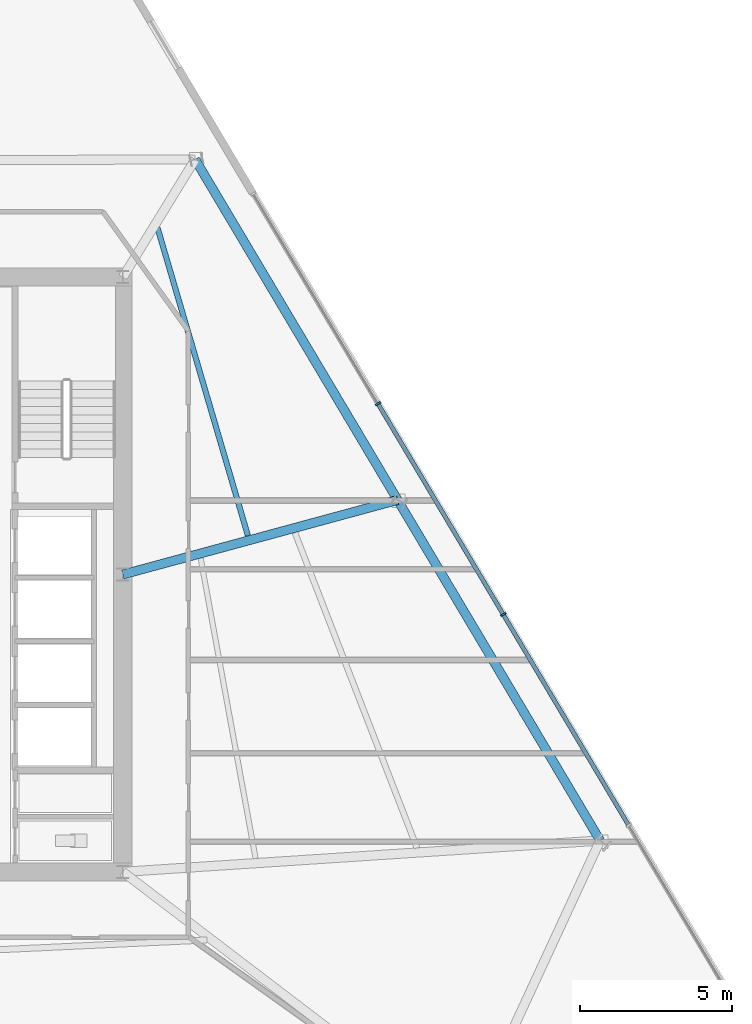
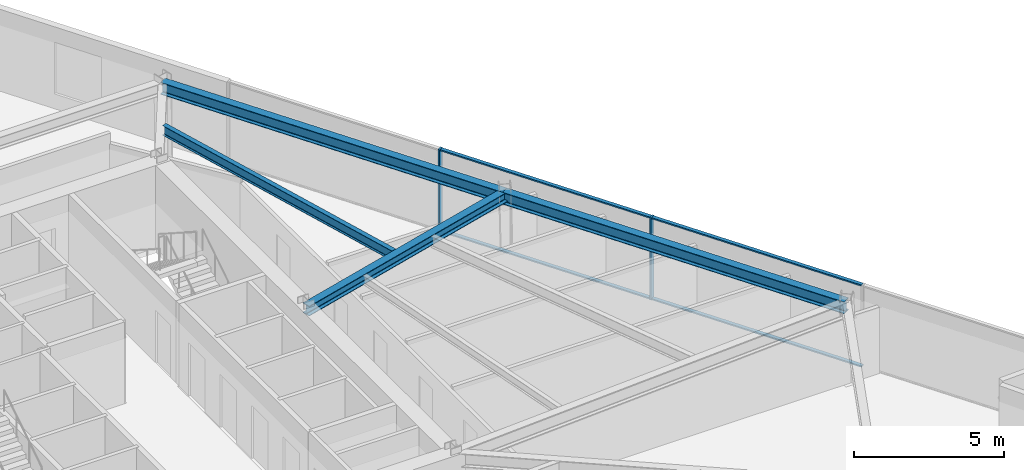
# One storey, part 5 of 15: 6 members, 4 beams, 1 element without a shape of its own.
"""IFC4 building model written with IfcOpenShell, lengths in metres."""

import ifcopenshell
import ifcopenshell.guid

model = None  # the IFC model being written
_history = None  # IfcOwnerHistory: only IFC2X3 demands one
_inside = {}  # id of a spatial element -> (the spatial element, [elements in it])
_under = {}  # id of a project, library or spatial element -> (it, [spatial elements below it])
_declared = {}  # id of a project -> (the project, [libraries it declares])
_typed = {}  # id of a type object -> (the type object, [elements of that type])
_made_of = {}  # id of a material, layer set ... -> (it, [elements and type objects made of it])


def new_model(schema):
    """Start an empty IFC model of exactly this schema.

    Asked for "IFC4X3", IfcOpenShell would pick the latest addendum, in which some entities
    have other attributes; the version numbers below select the first issue.
    IFC2X3 requires an IfcOwnerHistory on every rooted entity: one is made here for all.
    """
    global model, _history
    if schema == "IFC4X3":
        model = ifcopenshell.file(schema_version=(4, 3, 0, 0))
    else:
        model = ifcopenshell.file(schema=schema)
    _inside.clear()
    _under.clear()
    _declared.clear()
    _typed.clear()
    _made_of.clear()
    _history = None
    if model.schema == "IFC2X3":
        org = make("IfcOrganization", Name="unknown")
        user = make(
            "IfcPersonAndOrganization",
            ThePerson=make("IfcPerson", FamilyName="unknown"),
            TheOrganization=org,
        )
        app = make(
            "IfcApplication",
            ApplicationDeveloper=org,
            Version="unknown",
            ApplicationFullName="unknown",
            ApplicationIdentifier="unknown",
        )
        _history = make(
            "IfcOwnerHistory",
            OwningUser=user,
            OwningApplication=app,
            ChangeAction="ADDED",
            CreationDate=0,
        )
    return model


def make(cls, **values):
    """One entity of the class cls with the attributes given. An attribute that is None is left unset."""
    return model.create_entity(
        cls, **{name: value for name, value in values.items() if value is not None}
    )


def rooted(cls, **values):
    """An entity with a GlobalId (a new one), such as an element, a storey or a relation."""
    return make(cls, GlobalId=ifcopenshell.guid.new(), OwnerHistory=_history, **values)


def si_unit(unit_type, name, prefix=None):
    """IfcSIUnit, for example si_unit("LENGTHUNIT", "METRE", prefix="MILLI")."""
    return make("IfcSIUnit", UnitType=unit_type, Prefix=prefix, Name=name)


def assignment(units):
    """IfcUnitAssignment: the units of a project."""
    return None if units is None else make("IfcUnitAssignment", Units=units)


def point(xyz):
    """IfcCartesianPoint."""
    return None if xyz is None else make("IfcCartesianPoint", Coordinates=xyz)


def direction(xyz):
    """IfcDirection."""
    return None if xyz is None else make("IfcDirection", DirectionRatios=xyz)


def frame(location, z_axis=None, x_axis=None):
    """IfcAxis2Placement3D, a coordinate frame: its origin and axes. An axis left out is left unset."""
    return make(
        "IfcAxis2Placement3D",
        Location=point(location),
        Axis=direction(z_axis),
        RefDirection=direction(x_axis),
    )


def frame_2d(location, x_axis=None):
    """IfcAxis2Placement2D, a coordinate frame in the plane: its origin and x axis."""
    return make(
        "IfcAxis2Placement2D", Location=point(location), RefDirection=direction(x_axis)
    )


def origin():
    """The frame at (0, 0, 0) with its axes left unset."""
    return frame((0.0, 0.0, 0.0))


def origin_2d():
    """The frame at (0, 0) in the plane with its x axis left unset."""
    return frame_2d((0.0, 0.0))


def place(relative_to, where):
    """IfcLocalPlacement: puts the frame where relative to a parent placement (None: the world)."""
    return make(
        "IfcLocalPlacement", PlacementRelTo=relative_to, RelativePlacement=where
    )


def context(
    kind, dimensions, precision=None, world=None, true_north=None, identifier=None
):
    """IfcGeometricRepresentationContext, for example the 3D "Model" context."""
    return make(
        "IfcGeometricRepresentationContext",
        ContextIdentifier=identifier,
        ContextType=kind,
        CoordinateSpaceDimension=dimensions,
        Precision=precision,
        WorldCoordinateSystem=world,
        TrueNorth=true_north,
    )


def subcontext(parent, identifier, kind, view, scale=None):
    """IfcGeometricRepresentationSubContext, for example "Body" below "Model"."""
    return make(
        "IfcGeometricRepresentationSubContext",
        ContextIdentifier=identifier,
        ContextType=kind,
        ParentContext=parent,
        TargetScale=scale,
        TargetView=view,
    )


def project(units=None, contexts=None):
    """IfcProject with its units and contexts."""
    return rooted(
        "IfcProject",
        Name="project",
        RepresentationContexts=contexts,
        UnitsInContext=assignment(units),
    )


def spatial(cls, under=None, at=None, **own):
    """A site, building, storey or space (cls), placed at a placement, below another one or the project."""
    s = rooted(cls, ObjectPlacement=at, **own)
    if under is not None:
        _under.setdefault(under.id(), (under, []))[1].append(s)
    return s


def profile(cls, at=None, kind="AREA", **sizes):
    """A parametric profile (cls). Its sizes go by their IFC names, for example OverallWidth=200.0."""
    return make(cls, ProfileType=kind, Position=at, **sizes)


def rectangle(**sizes):
    """IfcRectangleProfileDef."""
    return profile("IfcRectangleProfileDef", **sizes)


def i_section(**sizes):
    """IfcIShapeProfileDef."""
    return profile("IfcIShapeProfileDef", **sizes)


def extrude(swept, where, along, depth):
    """IfcExtrudedAreaSolid: the profile swept, set in the frame where, extruded along a direction by depth."""
    return make(
        "IfcExtrudedAreaSolid",
        SweptArea=swept,
        Position=where,
        ExtrudedDirection=direction(along),
        Depth=depth,
    )


def shape(context_of_items, identifier, shape_type, items):
    """IfcShapeRepresentation: the items that make up one representation, for example the "Body"."""
    return make(
        "IfcShapeRepresentation",
        ContextOfItems=context_of_items,
        RepresentationIdentifier=identifier,
        RepresentationType=shape_type,
        Items=items,
    )


def material(Name=None, Category=None):
    """IfcMaterial."""
    return make("IfcMaterial", Name=Name, Category=Category)


def material_profile(
    of_material, cross_section, Name=None, Category=None, Priority=None
):
    """IfcMaterialProfile: a cross section and its material."""
    return make(
        "IfcMaterialProfile",
        Name=Name,
        Material=of_material,
        Profile=cross_section,
        Priority=Priority,
        Category=Category,
    )


def profile_set(profiles, Name=None, composite=None):
    """IfcMaterialProfileSet."""
    return make(
        "IfcMaterialProfileSet",
        Name=Name,
        MaterialProfiles=profiles,
        CompositeProfile=composite,
    )


def made_of(thing, what):
    """Note that an element or type object is made of a material, layer set ...; save() writes the relation."""
    if what is not None:
        _made_of.setdefault(what.id(), (what, []))[1].append(thing)
    return thing


def type_object(cls, material=None, **own):
    """A type object (cls), such as IfcWallType, which elements share."""
    return made_of(rooted(cls, **own), material)


def element(
    cls,
    number,
    at=None,
    inside=None,
    cuts=None,
    type_object=None,
    material=None,
    context=None,
    identifier="Body",
    shape_type=None,
    held_by="IfcProductDefinitionShape",
    body=None,
    shapes=None,
    **own,
):
    """One element of the class cls, such as IfcWall. Its Tag is "e" and its number.

    at: its placement. inside: the storey or other place that contains it. cuts: it is an
    opening in that element (IfcRelVoidsElement). A single representation is given by context,
    identifier, shape_type and body (its items); several are given by shapes. held_by: the class
    of the entity that holds the representations. save() writes the other relations.
    """
    e = rooted(cls, Tag="e%d" % number, ObjectPlacement=at, **own)
    if body is not None:
        shapes = [shape(context, identifier, shape_type, body)]
    if shapes is not None:
        e.Representation = make(held_by, Representations=shapes)
    if inside is not None:
        _inside.setdefault(inside.id(), (inside, []))[1].append(e)
    if cuts is not None:
        rooted(
            "IfcRelVoidsElement", RelatingBuildingElement=cuts, RelatedOpeningElement=e
        )
    if type_object is not None:
        _typed.setdefault(type_object.id(), (type_object, []))[1].append(e)
    return made_of(e, material)


def aggregate(whole, parts):
    """IfcRelAggregates: a whole, such as a stair, and the parts it consists of."""
    return rooted("IfcRelAggregates", RelatingObject=whole, RelatedObjects=parts)


def save(model, path):
    """Write the relations noted so far, then the file.

    IfcRelAggregates (storeys below a building ...), IfcRelContainedInSpatialStructure (elements
    in a storey), IfcRelDefinesByType, IfcRelAssociatesMaterial and IfcRelDeclares: one each for
    every whole, place, type object, material and project.
    """
    for whole, parts in _under.values():
        aggregate(whole, parts)
    for where, things in _inside.values():
        rooted(
            "IfcRelContainedInSpatialStructure",
            RelatedElements=things,
            RelatingStructure=where,
        )
    for kind, things in _typed.values():
        rooted("IfcRelDefinesByType", RelatedObjects=things, RelatingType=kind)
    for what, things in _made_of.values():
        rooted("IfcRelAssociatesMaterial", RelatedObjects=things, RelatingMaterial=what)
    for by, libraries in _declared.values():
        rooted("IfcRelDeclares", RelatingContext=by, RelatedDefinitions=libraries)
    model.write(path)


model = new_model("IFC4")

# Units and contexts
model_context = context("Model", 3, precision=1e-05, world=origin(), true_north=direction((0.0, 1.0)))
body_context = subcontext(model_context, "Body", "Model", "MODEL_VIEW")
ifc_project = project(units=[si_unit("LENGTHUNIT", "METRE"), si_unit("AREAUNIT", "SQUARE_METRE"), si_unit("VOLUMEUNIT", "CUBIC_METRE"), si_unit("PLANEANGLEUNIT", "RADIAN"), si_unit("MASSUNIT", "GRAM", prefix="KILO")], contexts=[model_context])

# Site, building, storey
site_placement = place(None, origin())
site = spatial("IfcSite", under=ifc_project, at=site_placement, CompositionType="ELEMENT")
building_placement = place(site_placement, origin())
building = spatial("IfcBuilding", under=site, at=building_placement, Name="Savorim Split Tower", CompositionType="ELEMENT")
storey_placement = place(building_placement, frame((0.0, 0.0, 93.300048828125)))
storey = spatial("IfcBuildingStorey", under=building, at=storey_placement, Name="L24", CompositionType="ELEMENT", Elevation=93.300048828125)

# Beams
ifc_material_1 = material(Name="Steel S355", Category="steel")
ifc_material_profile_1 = material_profile(ifc_material_1, i_section(OverallWidth=0.179931640625, OverallDepth=0.39990234375, WebThickness=0.008544921875, FlangeThickness=0.013427734375, FilletRadius=0.02099609375, at=origin_2d()), Name="IPE 400")
ifc_profile_set_1 = profile_set([ifc_material_profile_1], Name="Steel S355")
beam_type_1 = type_object("IfcBeamType", Name="BM-JST-IPE400", PredefinedType="JOIST", material=ifc_profile_set_1)
beam_1_placement = place(storey_placement, frame((11.8203125, 1.682861328125, 3.14990234375), z_axis=(-0.281723828388, 0.959495536477, 0.0), x_axis=(-0.959495536477, -0.281723828388, 0.0)))
element("IfcBeam", 1, at=beam_1_placement, inside=storey, type_object=beam_type_1, Name="L24 Secondary Floor Joist JS-07", PredefinedType="JOIST", context=body_context, shape_type="SweptSolid", body=[
    extrude(i_section(OverallWidth=0.179931640625, OverallDepth=0.39990234375, WebThickness=0.008544921875, FlangeThickness=0.013427734375, FilletRadius=0.02099609375, at=origin_2d()), origin(), (0.0, 0.0, 1.0), 10.574951171875),
])
ifc_material_profile_2 = material_profile(ifc_material_1, i_section(OverallWidth=0.300048828125, OverallDepth=0.39990234375, WebThickness=0.013427734375, FlangeThickness=0.02392578125, FilletRadius=0.027099609375, at=origin_2d()), Name="HEB 400")
ifc_profile_set_2 = profile_set([ifc_material_profile_2], Name="Steel S355")
beam_type_2 = type_object("IfcBeamType", Name="BM-PRI-HEB400", PredefinedType="BEAM", material=ifc_profile_set_2)
beam_2_placement = place(storey_placement, frame((16.755126953125, 2.85498046875, 3.14990234375), z_axis=(-0.965155478372, -0.261677095996, 0.0), x_axis=(0.261677095996, -0.965155478372, 0.0)))
element("IfcBeam", 2, at=beam_2_placement, inside=storey, type_object=beam_type_2, Name="L24 Primary Floor Girder RG-06", PredefinedType="BEAM", context=body_context, shape_type="SweptSolid", body=[
    extrude(i_section(OverallWidth=0.300048828125, OverallDepth=0.39990234375, WebThickness=0.013427734375, FlangeThickness=0.02392578125, FilletRadius=0.027099609375, at=origin_2d()), origin(), (0.0, 0.0, 1.0), 9.382080078125),
])
ifc_material_profile_3 = material_profile(ifc_material_1, i_section(OverallWidth=0.300048828125, OverallDepth=0.489990234375, WebThickness=0.011962890625, FlangeThickness=0.02294921875, FilletRadius=0.027099609375, at=origin_2d()), Name="HEA 500")
ifc_profile_set_3 = profile_set([ifc_material_profile_3], Name="Steel S355")
beam_type_3 = type_object("IfcBeamType", Name="BM-SPN-HEA500", PredefinedType="SPANDREL", material=ifc_profile_set_3)
for number, where, z_axis, x_axis, name in (
    (3, (23.427734375, -8.366455078125, 3.10498046875), (-0.511098170139, 0.859522344375, 0.0), (-0.859522344375, -0.511098170139, 0.0), "L24 Perimeter Spandrel Beam 5"),
    (4, (16.755126953125, 2.85498046875, 3.10498046875), (-0.511084354551, 0.859530559394, 0.0), (-0.859530559394, -0.511084354551, 0.0), "L24 Perimeter Spandrel Beam 6"),
):
    element("IfcBeam", number, at=place(storey_placement, frame(where, z_axis=z_axis, x_axis=x_axis)), inside=storey, type_object=beam_type_3, Name=name, PredefinedType="SPANDREL", context=body_context, shape_type="SweptSolid", body=[
        extrude(i_section(OverallWidth=0.300048828125, OverallDepth=0.489990234375, WebThickness=0.011962890625, FlangeThickness=0.02294921875, FilletRadius=0.027099609375, at=origin_2d()), origin(), (0.0, 0.0, 1.0), 13.055419921875),
    ])

# Curtain wall, members
ifc_material_2 = material(Name="Dark Ceramic-Fritted Insulated Glass", Category="glass")
curtain_wall_type = type_object("IfcCurtainWallType", Name="CW-TWR-FRIT-A", PredefinedType="NOTDEFINED", material=ifc_material_2)
curtain_wall_placement = place(storey_placement, origin())
curtain_wall = element("IfcCurtainWall", 5, at=curtain_wall_placement, inside=storey, type_object=curtain_wall_type, Name="L24 Curtain Wall CW-L24-EAST", PredefinedType="NOTDEFINED")
ifc_material_3 = material(Name="Charcoal Anodised Aluminium", Category="aluminium")
ifc_material_profile_4 = material_profile(ifc_material_3, rectangle(XDim=0.179931640625, YDim=0.06494140625, at=origin_2d()), Name="ALU-M 180x65")
ifc_profile_set_4 = profile_set([ifc_material_profile_4], Name="Charcoal Anodised Aluminium")
member_type_1 = type_object("IfcMemberType", Name="CWM-180x65", PredefinedType="MULLION", material=ifc_profile_set_4)
member_1_placement = place(storey_placement, frame((20.23681640625, -0.91845703125, 0.0), z_axis=(0.0, 0.0, 1.0), x_axis=(-0.859524537852, -0.511094481315, 0.0)))
member_1 = element("IfcMember", 6, at=member_1_placement, type_object=member_type_1, Name="CW-02 mullion 3", PredefinedType="MULLION", context=body_context, shape_type="SweptSolid", body=[
    extrude(rectangle(XDim=0.179931640625, YDim=0.06494140625, at=origin_2d()), origin(), (0.0, 0.0, 1.0), 3.349853515625),
])
member_2_placement = place(storey_placement, frame((16.106689453125, 6.027099609375, 0.0), z_axis=(0.0, 0.0, 1.0), x_axis=(-0.859524537852, -0.511094481315, 0.0)))
member_2 = element("IfcMember", 7, at=member_2_placement, type_object=member_type_1, Name="CW-02 mullion 4", PredefinedType="MULLION", context=body_context, shape_type="SweptSolid", body=[
    extrude(rectangle(XDim=0.179931640625, YDim=0.06494140625, at=origin_2d()), origin(), (0.0, 0.0, 1.0), 3.349853515625),
])
ifc_material_profile_5 = material_profile(ifc_material_3, rectangle(XDim=0.139892578125, YDim=0.054931640625, at=origin_2d()), Name="ALU-T 140x55")
ifc_profile_set_5 = profile_set([ifc_material_profile_5], Name="Charcoal Anodised Aluminium")
member_type_2 = type_object("IfcMemberType", Name="CWT-140x55", PredefinedType="USERDEFINED", material=ifc_profile_set_5)
member_3_placement = place(storey_placement, frame((24.35009765625, -7.836181640625, 0.02734375), z_axis=(-0.511074176555, 0.859536611238, 0.0), x_axis=(-0.859536611238, -0.511074176555, 0.0)))
member_3 = element("IfcMember", 8, at=member_3_placement, type_object=member_type_2, Name="CW-02 transom 2.1", ObjectType="TRANSOM", PredefinedType="USERDEFINED", context=body_context, shape_type="SweptSolid", body=[
    extrude(rectangle(XDim=0.139892578125, YDim=0.054931640625, at=origin_2d()), origin(), (0.0, 0.0, 1.0), 8.015869140625),
])
member_4_placement = place(storey_placement, frame((24.35009765625, -7.836181640625, 3.322509765625), z_axis=(-0.511074176555, 0.859536611238, 0.0), x_axis=(-0.859536611238, -0.511074176555, 0.0)))
member_4 = element("IfcMember", 9, at=member_4_placement, type_object=member_type_2, Name="CW-02 transom 2.2", ObjectType="TRANSOM", PredefinedType="USERDEFINED", context=body_context, shape_type="SweptSolid", body=[
    extrude(rectangle(XDim=0.139892578125, YDim=0.054931640625, at=origin_2d()), origin(), (0.0, 0.0, 1.0), 8.015869140625),
])
member_5_placement = place(storey_placement, frame((20.22021484375, -0.890380859375, 0.02734375), z_axis=(-0.511110057984, 0.859515275389, 0.0), x_axis=(-0.859515275389, -0.511110057984, 0.0)))
member_5 = element("IfcMember", 10, at=member_5_placement, type_object=member_type_2, Name="CW-02 transom 3.1", ObjectType="TRANSOM", PredefinedType="USERDEFINED", context=body_context, shape_type="SweptSolid", body=[
    extrude(rectangle(XDim=0.139892578125, YDim=0.054931640625, at=origin_2d()), origin(), (0.0, 0.0, 1.0), 8.015625),
])
member_6_placement = place(storey_placement, frame((20.22021484375, -0.890380859375, 3.322509765625), z_axis=(-0.511110057984, 0.859515275389, 0.0), x_axis=(-0.859515275389, -0.511110057984, 0.0)))
member_6 = element("IfcMember", 11, at=member_6_placement, type_object=member_type_2, Name="CW-02 transom 3.2", ObjectType="TRANSOM", PredefinedType="USERDEFINED", context=body_context, shape_type="SweptSolid", body=[
    extrude(rectangle(XDim=0.139892578125, YDim=0.054931640625, at=origin_2d()), origin(), (0.0, 0.0, 1.0), 8.015625),
])
aggregate(curtain_wall, [member_1, member_2, member_3, member_4, member_5, member_6])

save(model, "model.ifc")
